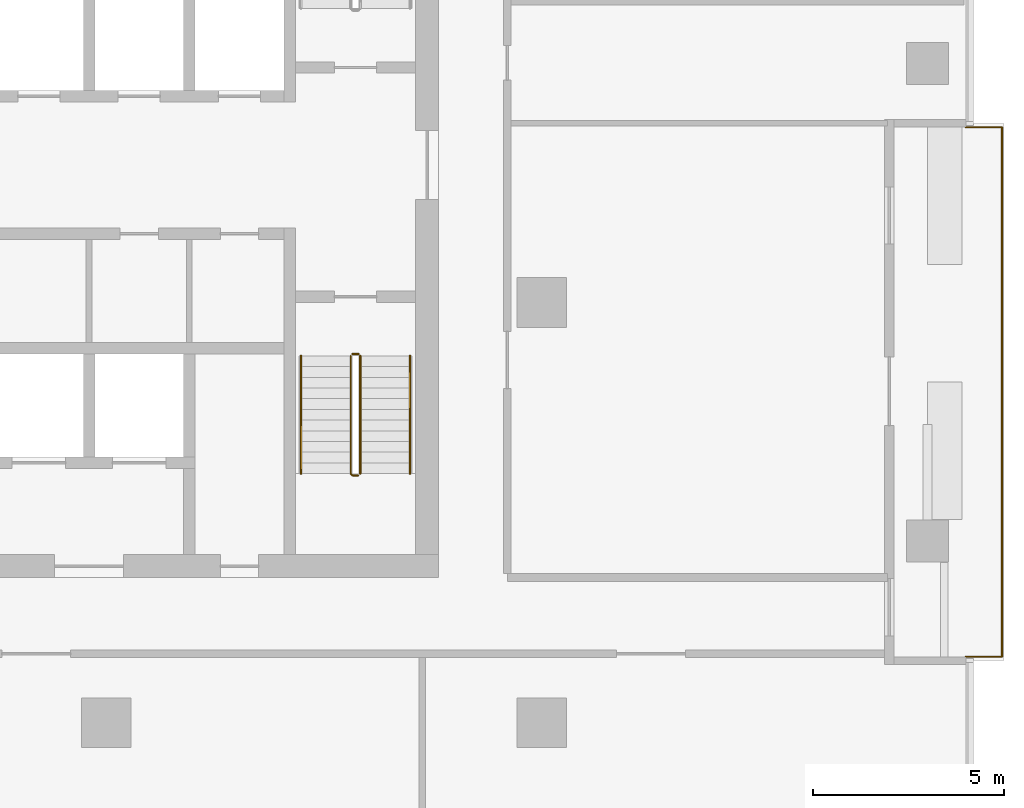
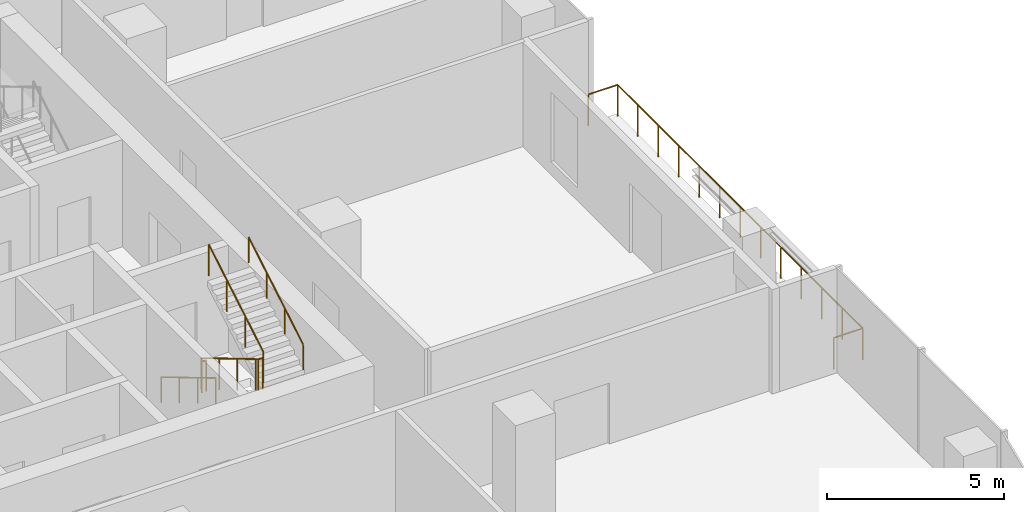
# One storey, part 12 of 14: 6 railings.
"""IFC4 building model written with IfcOpenShell, lengths in metres."""

from ifc_helpers import new_model, si_unit, direction, frame, origin, origin_2d, place, context, subcontext, project, spatial, circle, extrude, material, type_object, element, save


model = new_model("IFC4")

# Units and contexts
model_context = context("Model", 3, precision=1e-05, world=origin(), true_north=direction((0.0, 1.0)))
body_context = subcontext(model_context, "Body", "Model", "MODEL_VIEW")
ifc_project = project(units=[si_unit("LENGTHUNIT", "METRE"), si_unit("AREAUNIT", "SQUARE_METRE"), si_unit("VOLUMEUNIT", "CUBIC_METRE"), si_unit("PLANEANGLEUNIT", "RADIAN"), si_unit("MASSUNIT", "GRAM", prefix="KILO")], contexts=[model_context])

# Site, building, storey
site_placement = place(None, origin())
site = spatial("IfcSite", under=ifc_project, at=site_placement, CompositionType="ELEMENT")
building_placement = place(site_placement, origin())
building = spatial("IfcBuilding", under=site, at=building_placement, Name="Mopane Tessera Tower", CompositionType="ELEMENT")
storey_placement = place(building_placement, frame((0.0, 0.0, 227.0)))
storey = spatial("IfcBuildingStorey", under=building, at=storey_placement, Name="L48", CompositionType="ELEMENT", Elevation=227.0)

# Railings
ifc_material_1 = material(Name="Powder-coated steel balustrade", Category="steel")
railing_type_1 = type_object("IfcRailingType", Name="Escape stair guard 1100 mm", PredefinedType="GUARDRAIL", material=ifc_material_1)
railing_1_placement = place(storey_placement, frame((12.10009765625, -1.39990234375, 0.166748046875)))
element("IfcRailing", 1, at=railing_1_placement, inside=storey, type_object=railing_type_1, Name="L48 ST3 stair guard 1", PredefinedType="GUARDRAIL", context=body_context, shape_type="SweptSolid", body=[
    extrude(circle(Radius=0.02392578125, at=origin_2d()), frame((0.0, 0.0, 1.076171875), z_axis=(0.0, -0.859308565015, 0.511457515432), x_axis=(1.0, 0.0, 0.0)), (0.0, 0.0, 1.0), 3.58447265625),
    extrude(circle(Radius=0.02392578125, at=origin_2d()), frame((0.0, -3.080078125, 2.9091796875), z_axis=(0.705375805398, -0.708833529934, 0.0), x_axis=(0.708833529934, 0.705375805398, 0.0)), (0.0, 0.0, 1.0), 0.070556640625),
    extrude(circle(Radius=0.02392578125, at=origin_2d()), frame((0.0498046875, -3.130126953125, 2.9091796875), z_axis=(1.0, 0.0, 0.0), x_axis=(0.0, 1.0, 0.0)), (0.0, 0.0, 1.0), 0.150146484375),
    extrude(circle(Radius=0.02099609375, at=origin_2d()), origin(), (0.0, 0.0, 1.0), 1.052001953125),
    extrude(circle(Radius=0.02099609375, at=origin_2d()), frame((0.0, -1.026611328125, 0.611083984375)), (0.0, 0.0, 1.0), 1.052001953125),
    extrude(circle(Radius=0.02099609375, at=origin_2d()), frame((0.0, -2.053466796875, 1.22216796875)), (0.0, 0.0, 1.0), 1.052001953125),
    extrude(circle(Radius=0.02099609375, at=origin_2d()), frame((0.0, -3.080078125, 1.833251953125)), (0.0, 0.0, 1.0), 1.052001953125),
    extrude(circle(Radius=0.02099609375, at=origin_2d()), frame((0.0498046875, -3.130126953125, 1.833251953125)), (0.0, 0.0, 1.0), 1.052001953125),
    extrude(circle(Radius=0.02099609375, at=origin_2d()), frame((0.199951171875, -3.130126953125, 1.833251953125)), (0.0, 0.0, 1.0), 1.052001953125),
])
railing_2_placement = place(storey_placement, frame((12.35009765625, -4.47998046875, 2.166748046875)))
element("IfcRailing", 2, at=railing_2_placement, inside=storey, type_object=railing_type_1, Name="L48 ST3 stair guard 2", PredefinedType="GUARDRAIL", context=body_context, shape_type="SweptSolid", body=[
    extrude(circle(Radius=0.02392578125, at=origin_2d()), frame((0.0, 0.0, 1.076171875), z_axis=(0.0, 0.859308565015, 0.511457515432), x_axis=(-1.0, 0.0, 0.0)), (0.0, 0.0, 1.0), 3.58447265625),
    extrude(circle(Radius=0.02099609375, at=origin_2d()), origin(), (0.0, 0.0, 1.0), 1.052001953125),
    extrude(circle(Radius=0.02099609375, at=origin_2d()), frame((0.0, 1.026611328125, 0.611083984375)), (0.0, 0.0, 1.0), 1.052001953125),
    extrude(circle(Radius=0.02099609375, at=origin_2d()), frame((0.0, 2.053466796875, 1.22216796875)), (0.0, 0.0, 1.0), 1.052001953125),
    extrude(circle(Radius=0.02099609375, at=origin_2d()), frame((0.0, 3.080078125, 1.833251953125)), (0.0, 0.0, 1.0), 1.052001953125),
])
railing_3_placement = place(storey_placement, frame((12.14990234375, -1.35009765625, 0.0)))
element("IfcRailing", 3, at=railing_3_placement, inside=storey, type_object=railing_type_1, Name="L48 ST3 stair guard 3", PredefinedType="GUARDRAIL", context=body_context, shape_type="SweptSolid", body=[
    extrude(circle(Radius=0.02392578125, at=origin_2d()), frame((0.0, 0.0, 1.076171875), z_axis=(1.0, 0.0, 0.0), x_axis=(0.0, 1.0, 0.0)), (0.0, 0.0, 1.0), 0.150146484375),
    extrude(circle(Radius=0.02099609375, at=origin_2d()), origin(), (0.0, 0.0, 1.0), 1.052001953125),
    extrude(circle(Radius=0.02099609375, at=origin_2d()), frame((0.150146484375, 0.0, 0.0)), (0.0, 0.0, 1.0), 1.052001953125),
])
ifc_material_2 = material(Name="Powder-coated steel balustrade", Category="steel")
railing_type_2 = type_object("IfcRailingType", Name="Escape stair handrail 900 mm", PredefinedType="HANDRAIL", material=ifc_material_2)
railing_4_placement = place(storey_placement, frame((10.800048828125, -1.39990234375, 0.166748046875)))
element("IfcRailing", 4, at=railing_4_placement, inside=storey, type_object=railing_type_2, Name="L48 ST3 stair handrail 1", PredefinedType="HANDRAIL", context=body_context, shape_type="SweptSolid", body=[
    extrude(circle(Radius=0.02392578125, at=origin_2d()), frame((0.0, 0.0, 0.8759765625), z_axis=(0.0, -0.859308565015, 0.511457515432), x_axis=(1.0, 0.0, 0.0)), (0.0, 0.0, 1.0), 3.58447265625),
    extrude(circle(Radius=0.02099609375, at=origin_2d()), origin(), (0.0, 0.0, 1.0), 0.851806640625),
    extrude(circle(Radius=0.02099609375, at=origin_2d()), frame((0.0, -1.026611328125, 0.611083984375)), (0.0, 0.0, 1.0), 0.851806640625),
    extrude(circle(Radius=0.02099609375, at=origin_2d()), frame((0.0, -2.053466796875, 1.22216796875)), (0.0, 0.0, 1.0), 0.851806640625),
    extrude(circle(Radius=0.02099609375, at=origin_2d()), frame((0.0, -3.080078125, 1.833251953125)), (0.0, 0.0, 1.0), 0.851806640625),
])
railing_5_placement = place(storey_placement, frame((13.64990234375, -4.47998046875, 2.166748046875)))
element("IfcRailing", 5, at=railing_5_placement, inside=storey, type_object=railing_type_2, Name="L48 ST3 stair handrail 2", PredefinedType="HANDRAIL", context=body_context, shape_type="SweptSolid", body=[
    extrude(circle(Radius=0.02392578125, at=origin_2d()), frame((0.0, 0.0, 0.8759765625), z_axis=(0.0, 0.859308565015, 0.511457515432), x_axis=(-1.0, 0.0, 0.0)), (0.0, 0.0, 1.0), 3.58447265625),
    extrude(circle(Radius=0.02099609375, at=origin_2d()), origin(), (0.0, 0.0, 1.0), 0.851806640625),
    extrude(circle(Radius=0.02099609375, at=origin_2d()), frame((0.0, 1.026611328125, 0.611083984375)), (0.0, 0.0, 1.0), 0.851806640625),
    extrude(circle(Radius=0.02099609375, at=origin_2d()), frame((0.0, 2.053466796875, 1.22216796875)), (0.0, 0.0, 1.0), 0.851806640625),
    extrude(circle(Radius=0.02099609375, at=origin_2d()), frame((0.0, 3.080078125, 1.833251953125)), (0.0, 0.0, 1.0), 0.851806640625),
])
ifc_material_3 = material(Name="Stainless steel S316", Category="steel")
railing_type_3 = type_object("IfcRailingType", Name="Terrace guard 1100", PredefinedType="GUARDRAIL", material=ifc_material_3)
railing_6_placement = place(storey_placement, frame((28.199951171875, -9.27490234375, 0.0)))
element("IfcRailing", 6, at=railing_6_placement, inside=storey, type_object=railing_type_3, Name="e:nw:L48:N2:guard", PredefinedType="GUARDRAIL", context=body_context, shape_type="SweptSolid", body=[
    extrude(circle(Radius=0.02392578125, at=origin_2d()), frame((0.0, 0.0, 1.076171875), z_axis=(1.0, 0.0, 0.0), x_axis=(0.0, 1.0, 0.0)), (0.0, 0.0, 1.0), 0.949951171875),
    extrude(circle(Radius=0.02392578125, at=origin_2d()), frame((0.949951171875, 0.0, 1.076171875), z_axis=(0.0, 1.0, 0.0), x_axis=(-1.0, 0.0, 0.0)), (0.0, 0.0, 1.0), 13.8623046875),
    extrude(circle(Radius=0.02392578125, at=origin_2d()), frame((0.949951171875, 13.8623046875, 1.076171875), z_axis=(-1.0, 0.0, 0.0), x_axis=(0.0, -1.0, 0.0)), (0.0, 0.0, 1.0), 0.949951171875),
    extrude(circle(Radius=0.02099609375, at=origin_2d()), origin(), (0.0, 0.0, 1.0), 1.052001953125),
    extrude(circle(Radius=0.02099609375, at=origin_2d()), frame((0.949951171875, 0.0, 0.0)), (0.0, 0.0, 1.0), 1.052001953125),
    extrude(circle(Radius=0.02099609375, at=origin_2d()), frame((0.949951171875, 1.1552734375, 0.0)), (0.0, 0.0, 1.0), 1.052001953125),
    extrude(circle(Radius=0.02099609375, at=origin_2d()), frame((0.949951171875, 2.310302734375, 0.0)), (0.0, 0.0, 1.0), 1.052001953125),
    extrude(circle(Radius=0.02099609375, at=origin_2d()), frame((0.949951171875, 3.465576171875, 0.0)), (0.0, 0.0, 1.0), 1.052001953125),
    extrude(circle(Radius=0.02099609375, at=origin_2d()), frame((0.949951171875, 4.620849609375, 0.0)), (0.0, 0.0, 1.0), 1.052001953125),
    extrude(circle(Radius=0.02099609375, at=origin_2d()), frame((0.949951171875, 5.77587890625, 0.0)), (0.0, 0.0, 1.0), 1.052001953125),
    extrude(circle(Radius=0.02099609375, at=origin_2d()), frame((0.949951171875, 6.93115234375, 0.0)), (0.0, 0.0, 1.0), 1.052001953125),
    extrude(circle(Radius=0.02099609375, at=origin_2d()), frame((0.949951171875, 8.08642578125, 0.0)), (0.0, 0.0, 1.0), 1.052001953125),
    extrude(circle(Radius=0.02099609375, at=origin_2d()), frame((0.949951171875, 9.241455078125, 0.0)), (0.0, 0.0, 1.0), 1.052001953125),
    extrude(circle(Radius=0.02099609375, at=origin_2d()), frame((0.949951171875, 10.396728515625, 0.0)), (0.0, 0.0, 1.0), 1.052001953125),
    extrude(circle(Radius=0.02099609375, at=origin_2d()), frame((0.949951171875, 11.552001953125, 0.0)), (0.0, 0.0, 1.0), 1.052001953125),
    extrude(circle(Radius=0.02099609375, at=origin_2d()), frame((0.949951171875, 12.70703125, 0.0)), (0.0, 0.0, 1.0), 1.052001953125),
    extrude(circle(Radius=0.02099609375, at=origin_2d()), frame((0.949951171875, 13.8623046875, 0.0)), (0.0, 0.0, 1.0), 1.052001953125),
    extrude(circle(Radius=0.02099609375, at=origin_2d()), frame((0.0, 13.8623046875, 0.0)), (0.0, 0.0, 1.0), 1.052001953125),
])

save(model, "model.ifc")
